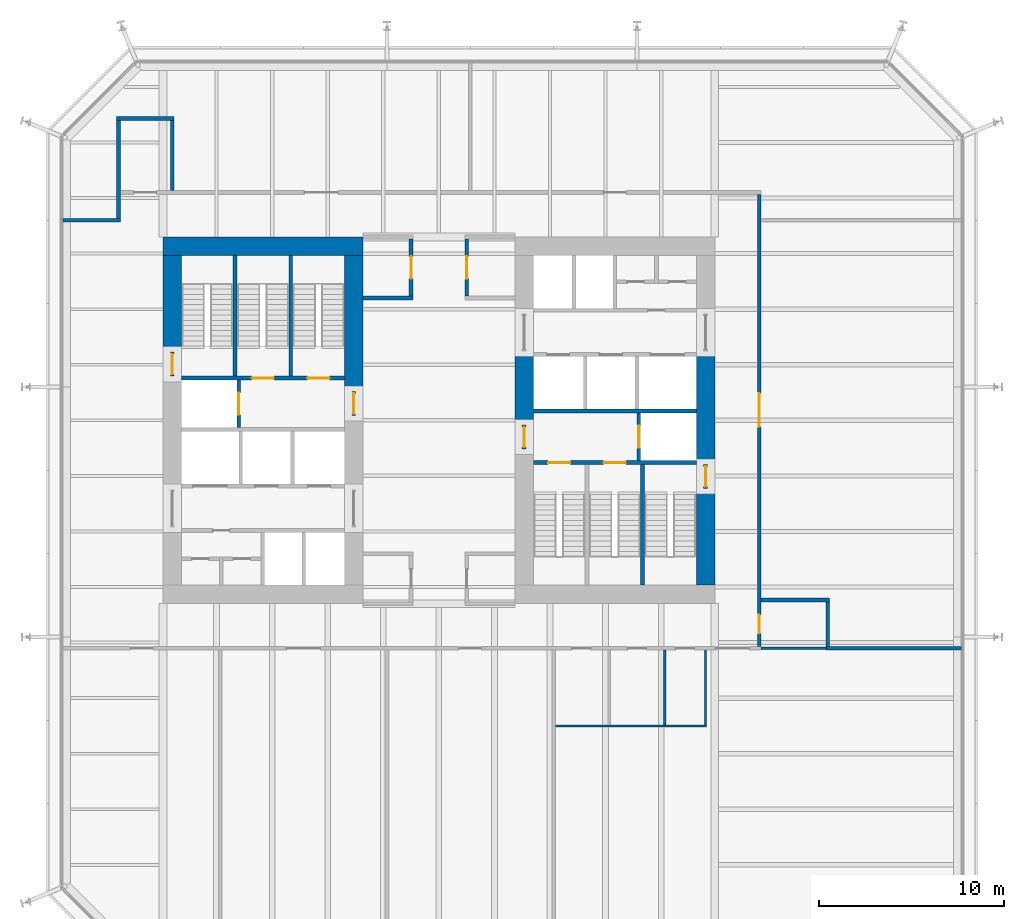
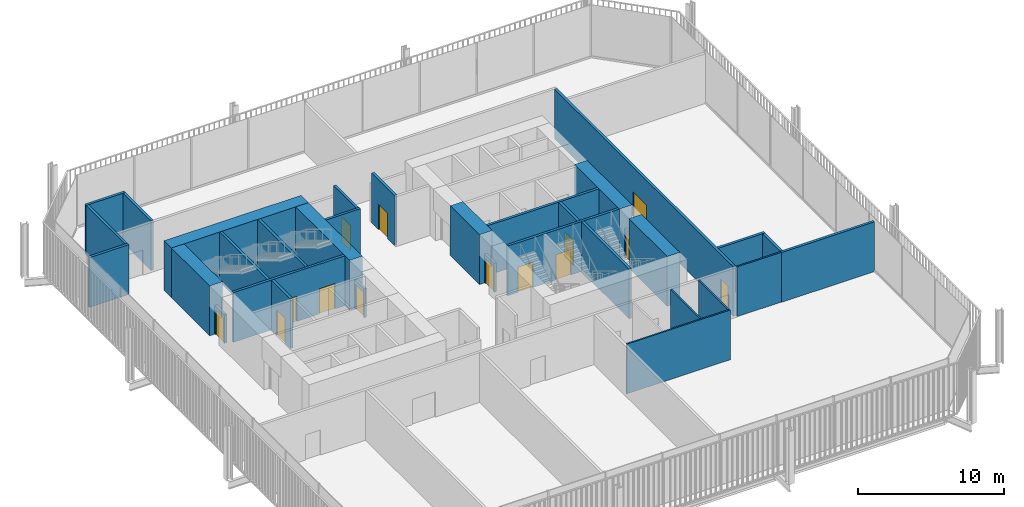
# One storey, part 17 of 20: 33 walls, 14 doors, 14 openings.
"""IFC4 building model written with IfcOpenShell, lengths in metres."""

from ifc_helpers import new_model, si_unit, direction, frame, frame_2d, origin, place, context, subcontext, project, spatial, rectangle, extrude, material, layer, layer_set, type_object, element, fill, save


model = new_model("IFC4")

# Units and contexts
model_context = context("Model", 3, precision=1e-05, world=origin(), true_north=direction((0.0, 1.0)))
body_context = subcontext(model_context, "Body", "Model", "MODEL_VIEW")
ifc_project = project(units=[si_unit("LENGTHUNIT", "METRE"), si_unit("AREAUNIT", "SQUARE_METRE"), si_unit("VOLUMEUNIT", "CUBIC_METRE"), si_unit("PLANEANGLEUNIT", "RADIAN"), si_unit("MASSUNIT", "GRAM", prefix="KILO")], contexts=[model_context])

# Site, building, storey
site_placement = place(None, origin())
site = spatial("IfcSite", under=ifc_project, at=site_placement, CompositionType="ELEMENT")
building_placement = place(site_placement, origin())
building = spatial("IfcBuilding", under=site, at=building_placement, Name="Millrace Tower", CompositionType="ELEMENT")
storey_placement = place(building_placement, frame((0.0, 0.0, 108.39990234375)))
storey = spatial("IfcBuildingStorey", under=building, at=storey_placement, Name="L24", CompositionType="ELEMENT", Elevation=108.39990234375)

# Walls
ifc_material_1 = material(Name="Concrete C80", Category="concrete")
ifc_layer_1 = layer(ifc_material_1, 1.0)
ifc_layer_set_1 = layer_set([ifc_layer_1], Name="Concrete C80")
wall_type_1 = type_object("IfcWallType", Name="Core wall 1000 Concrete C80", PredefinedType="SHEAR", material=ifc_layer_set_1)
wall_1_placement = place(storey_placement, frame((-14.89990234375, 9.39990234375, 0.0), z_axis=(0.0, 0.0, 1.0), x_axis=(1.0, 0.0, 0.0)))
element("IfcWall", 1, at=wall_1_placement, inside=storey, type_object=wall_type_1, Name="Core wall W L24", PredefinedType="SHEAR", context=body_context, shape_type="SweptSolid", body=[
    extrude(rectangle(XDim=10.7998046875, YDim=1.0, at=frame_2d((5.39990234375, 0.0))), origin(), (0.0, 0.0, 1.0), 4.150146484375),
])
wall_2_placement = place(storey_placement, frame((-14.39990234375, 3.679931640625, 0.0), z_axis=(0.0, 0.0, 1.0), x_axis=(0.0, 1.0, 0.0)))
element("IfcWall", 2, at=wall_2_placement, inside=storey, type_object=wall_type_1, Name="Core wall W L24", PredefinedType="SHEAR", context=body_context, shape_type="SweptSolid", body=[
    extrude(rectangle(XDim=5.219970703125, YDim=1.0, at=frame_2d((2.60986328125, 0.0))), origin(), (0.0, 0.0, 1.0), 4.150146484375),
])
wall_3_placement = place(storey_placement, frame((-4.60009765625, 1.550048828125, 0.0), z_axis=(0.0, 0.0, 1.0), x_axis=(0.0, 1.0, 0.0)))
element("IfcWall", 3, at=wall_3_placement, inside=storey, type_object=wall_type_1, Name="Core wall W L24", PredefinedType="SHEAR", context=body_context, shape_type="SweptSolid", body=[
    extrude(rectangle(XDim=7.349853515625, YDim=1.0, at=frame_2d((3.6748046875, 0.0))), origin(), (0.0, 0.0, 1.0), 4.150146484375),
])
wall_4_placement = place(storey_placement, frame((14.39990234375, 3.75, 0.0), z_axis=(0.0, 0.0, 1.0), x_axis=(0.0, -1.0, 0.0)))
element("IfcWall", 4, at=wall_4_placement, inside=storey, type_object=wall_type_1, Name="Core wall E L24", PredefinedType="SHEAR", context=body_context, shape_type="SweptSolid", body=[
    extrude(rectangle(XDim=6.1298828125, YDim=1.0, at=frame_2d((3.06494140625, 0.0))), origin(), (0.0, 0.0, 1.0), 4.150146484375),
])
wall_5_placement = place(storey_placement, frame((14.39990234375, -3.679931640625, 0.0), z_axis=(0.0, 0.0, 1.0), x_axis=(0.0, -1.0, 0.0)))
element("IfcWall", 5, at=wall_5_placement, inside=storey, type_object=wall_type_1, Name="Core wall E L24", PredefinedType="SHEAR", context=body_context, shape_type="SweptSolid", body=[
    extrude(rectangle(XDim=5.219970703125, YDim=1.0, at=frame_2d((2.60986328125, 0.0))), origin(), (0.0, 0.0, 1.0), 4.150146484375),
])
wall_6_placement = place(storey_placement, frame((4.60009765625, 3.75, 0.0), z_axis=(0.0, 0.0, 1.0), x_axis=(0.0, -1.0, 0.0)))
element("IfcWall", 6, at=wall_6_placement, inside=storey, type_object=wall_type_1, Name="Core wall E L24", PredefinedType="SHEAR", context=body_context, shape_type="SweptSolid", body=[
    extrude(rectangle(XDim=4.0, YDim=1.0, at=frame_2d((2.0, 0.0))), origin(), (0.0, 0.0, 1.0), 4.150146484375),
])
ifc_material_2 = material(Name="Masonry partition, fire-rated", Category="masonry")
ifc_layer_2 = layer(ifc_material_2, 0.199951171875)
ifc_layer_set_2 = layer_set([ifc_layer_2], Name="Masonry partition, fire-rated")
wall_type_2 = type_object("IfcWallType", Name="Corridor wall 200", PredefinedType="PARTITIONING", material=ifc_layer_set_2)
wall_7_placement = place(storey_placement, frame((20.89990234375, -12.300048828125, 0.0), z_axis=(0.0, 0.0, 1.0), x_axis=(1.0, 0.0, 0.0)))
element("IfcWall", 7, at=wall_7_placement, inside=storey, type_object=wall_type_2, Name="Corridor wall L24", PredefinedType="PARTITIONING", context=body_context, shape_type="SweptSolid", body=[
    extrude(rectangle(XDim=7.330078125, YDim=0.199951171875, at=frame_2d((3.6650390625, 0.0))), origin(), (0.0, 0.0, 1.0), 4.150146484375),
])
wall_8_placement = place(storey_placement, frame((17.39990234375, -9.699951171875, 0.0), z_axis=(0.0, 0.0, 1.0), x_axis=(1.0, 0.0, 0.0)))
element("IfcWall", 8, at=wall_8_placement, inside=storey, type_object=wall_type_2, Name="Corridor wall L24", PredefinedType="PARTITIONING", context=body_context, shape_type="SweptSolid", body=[
    extrude(rectangle(XDim=3.7001953125, YDim=0.199951171875, at=frame_2d((1.85009765625, 0.0))), origin(), (0.0, 0.0, 1.0), 4.150146484375),
])
wall_9_placement = place(storey_placement, frame((-4.10009765625, 6.60009765625, 0.0), z_axis=(0.0, 0.0, 1.0), x_axis=(1.0, 0.0, 0.0)))
element("IfcWall", 9, at=wall_9_placement, inside=storey, type_object=wall_type_2, Name="Corridor wall L24", PredefinedType="PARTITIONING", context=body_context, shape_type="SweptSolid", body=[
    extrude(rectangle(XDim=2.7001953125, YDim=0.199951171875, at=frame_2d((1.35009765625, 0.0))), origin(), (0.0, 0.0, 1.0), 4.150146484375),
])
wall_10_placement = place(storey_placement, frame((-20.330078125, 10.800048828125, 0.0), z_axis=(0.0, 0.0, 1.0), x_axis=(1.0, 0.0, 0.0)))
element("IfcWall", 10, at=wall_10_placement, inside=storey, type_object=wall_type_2, Name="Corridor wall L24", PredefinedType="PARTITIONING", context=body_context, shape_type="SweptSolid", body=[
    extrude(rectangle(XDim=3.130126953125, YDim=0.199951171875, at=frame_2d((1.56494140625, 0.0))), origin(), (0.0, 0.0, 1.0), 4.150146484375),
])
wall_11_placement = place(storey_placement, frame((-17.39990234375, 16.300048828125, 0.0), z_axis=(0.0, 0.0, 1.0), x_axis=(1.0, 0.0, 0.0)))
element("IfcWall", 11, at=wall_11_placement, inside=storey, type_object=wall_type_2, Name="Corridor wall L24", PredefinedType="PARTITIONING", context=body_context, shape_type="SweptSolid", body=[
    extrude(rectangle(XDim=3.099853515625, YDim=0.199951171875, at=frame_2d((1.5498046875, 0.0))), origin(), (0.0, 0.0, 1.0), 4.150146484375),
])
wall_12_placement = place(storey_placement, frame((21.0, -12.199951171875, 0.0), z_axis=(0.0, 0.0, 1.0), x_axis=(0.0, 1.0, 0.0)))
element("IfcWall", 12, at=wall_12_placement, inside=storey, type_object=wall_type_2, Name="Corridor wall L24", PredefinedType="PARTITIONING", context=body_context, shape_type="SweptSolid", body=[
    extrude(rectangle(XDim=2.39990234375, YDim=0.199951171875, at=frame_2d((1.199951171875, 0.0))), origin(), (0.0, 0.0, 1.0), 4.150146484375),
])

# Wall, openings, doors
wall_13_placement = place(storey_placement, frame((17.300048828125, -12.199951171875, 0.0), z_axis=(0.0, 0.0, 1.0), x_axis=(0.0, 1.0, 0.0)))
wall_13 = element("IfcWall", 13, at=wall_13_placement, inside=storey, type_object=wall_type_2, Name="Corridor wall L24", PredefinedType="PARTITIONING", context=body_context, shape_type="SweptSolid", body=[
    extrude(rectangle(XDim=24.39990234375, YDim=0.199951171875, at=frame_2d((12.199951171875, 0.0))), origin(), (0.0, 0.0, 1.0), 4.150146484375),
])
opening_1_placement = place(wall_13_placement, frame((11.85009765625, 0.0, 0.0)))
opening_1 = element("IfcOpeningElement", 14, at=opening_1_placement, cuts=wall_13, Name="Opening 24-P015", PredefinedType="OPENING", context=body_context, shape_type="SweptSolid", body=[
    extrude(rectangle(XDim=1.800048828125, YDim=2.10009765625, at=frame_2d((0.89990234375, 1.050048828125))), frame((0.0, 0.10986328125, 0.0), z_axis=(0.0, -1.0, 0.0), x_axis=(1.0, 0.0, 0.0)), (0.0, 0.0, 1.0), 0.219970703125),
])
opening_2_placement = place(wall_13_placement, frame((0.699951171875, 0.0, 0.0)))
opening_2 = element("IfcOpeningElement", 15, at=opening_2_placement, cuts=wall_13, Name="Opening 24-P016", PredefinedType="OPENING", context=body_context, shape_type="SweptSolid", body=[
    extrude(rectangle(XDim=1.0, YDim=2.10009765625, at=frame_2d((0.5, 1.050048828125))), frame((0.0, 0.10986328125, 0.0), z_axis=(0.0, -1.0, 0.0), x_axis=(1.0, 0.0, 0.0)), (0.0, 0.0, 1.0), 0.219970703125),
])
ifc_material_3 = material(Name="Steel door set, fire-rated", Category="steel")
door_type_1 = type_object("IfcDoorType", Name="Corridor door 1000 x 2100", OperationType="SINGLE_SWING_LEFT", PredefinedType="DOOR", material=ifc_material_3)
door_1_placement = place(opening_2_placement, frame((1.0, 0.0, 0.0), z_axis=(0.0, 0.0, 1.0), x_axis=(-1.0, 0.0, 0.0)))
door_1 = element("IfcDoor", 16, at=door_1_placement, inside=storey, type_object=door_type_1, Name="Door 24-P016", OperationType="SINGLE_SWING_RIGHT", OverallHeight=2.10009765625, OverallWidth=1.0, PredefinedType="DOOR", context=body_context, shape_type="SweptSolid", body=[
    extrude(rectangle(XDim=1.0, YDim=2.10009765625, at=frame_2d((0.5, 1.050048828125))), frame((0.0, 0.02490234375, 0.0), z_axis=(0.0, -1.0, 0.0), x_axis=(1.0, 0.0, 0.0)), (0.0, 0.0, 1.0), 0.050048828125),
])
fill(opening_2, door_1)
ifc_material_4 = material(Name="Steel door set, fire-rated", Category="steel")
door_type_2 = type_object("IfcDoorType", Name="Data hall door 1800 x 2100", OperationType="DOUBLE_DOOR_SINGLE_SWING", PredefinedType="DOOR", material=ifc_material_4)
door_2_placement = place(opening_1_placement, frame((1.800048828125, 0.0, 0.0), z_axis=(0.0, 0.0, 1.0), x_axis=(-1.0, 0.0, 0.0)))
door_2 = element("IfcDoor", 17, at=door_2_placement, inside=storey, type_object=door_type_2, Name="Door 24-P015", OperationType="DOUBLE_DOOR_SINGLE_SWING", OverallHeight=2.10009765625, OverallWidth=1.800048828125, PredefinedType="DOOR", context=body_context, shape_type="SweptSolid", body=[
    extrude(rectangle(XDim=1.800048828125, YDim=2.10009765625, at=frame_2d((0.89990234375, 1.050048828125))), frame((0.0, 0.02490234375, 0.0), z_axis=(0.0, -1.0, 0.0), x_axis=(1.0, 0.0, 0.0)), (0.0, 0.0, 1.0), 0.050048828125),
])
fill(opening_1, door_2)

# Wall, opening, door
wall_14_placement = place(storey_placement, frame((1.5, 6.699951171875, 0.0), z_axis=(0.0, 0.0, 1.0), x_axis=(0.0, 1.0, 0.0)))
wall_14 = element("IfcWall", 18, at=wall_14_placement, inside=storey, type_object=wall_type_2, Name="Corridor wall L24", PredefinedType="PARTITIONING", context=body_context, shape_type="SweptSolid", body=[
    extrude(rectangle(XDim=3.10009765625, YDim=0.199951171875, at=frame_2d((1.550048828125, 0.0))), origin(), (0.0, 0.0, 1.0), 4.150146484375),
])
opening_3_placement = place(wall_14_placement, frame((0.949951171875, 0.0, 0.0)))
opening_3 = element("IfcOpeningElement", 19, at=opening_3_placement, cuts=wall_14, Name="Opening 24-P002", PredefinedType="OPENING", context=body_context, shape_type="SweptSolid", body=[
    extrude(rectangle(XDim=1.199951171875, YDim=2.10009765625, at=frame_2d((0.60009765625, 1.050048828125))), frame((0.0, 0.10986328125, 0.0), z_axis=(0.0, -1.0, 0.0), x_axis=(1.0, 0.0, 0.0)), (0.0, 0.0, 1.0), 0.219970703125),
])
ifc_material_5 = material(Name="Steel door set, fire-rated", Category="steel")
door_type_3 = type_object("IfcDoorType", Name="Corridor door 1200 x 2100", OperationType="SINGLE_SWING_LEFT", PredefinedType="DOOR", material=ifc_material_5)
door_3_placement = place(opening_3_placement, frame((1.199951171875, 0.0, 0.0), z_axis=(0.0, 0.0, 1.0), x_axis=(-1.0, 0.0, 0.0)))
door_3 = element("IfcDoor", 20, at=door_3_placement, inside=storey, type_object=door_type_3, Name="Door 24-P002", OperationType="SINGLE_SWING_LEFT", OverallHeight=2.10009765625, OverallWidth=1.199951171875, PredefinedType="DOOR", context=body_context, shape_type="SweptSolid", body=[
    extrude(rectangle(XDim=1.199951171875, YDim=2.10009765625, at=frame_2d((0.60009765625, 1.050048828125))), frame((0.0, 0.02490234375, 0.0), z_axis=(0.0, -1.0, 0.0), x_axis=(1.0, 0.0, 0.0)), (0.0, 0.0, 1.0), 0.050048828125),
])
fill(opening_3, door_3)

wall_15_placement = place(storey_placement, frame((-1.5, 6.699951171875, 0.0), z_axis=(0.0, 0.0, 1.0), x_axis=(0.0, 1.0, 0.0)))
wall_15 = element("IfcWall", 21, at=wall_15_placement, inside=storey, type_object=wall_type_2, Name="Corridor wall L24", PredefinedType="PARTITIONING", context=body_context, shape_type="SweptSolid", body=[
    extrude(rectangle(XDim=3.10009765625, YDim=0.199951171875, at=frame_2d((1.550048828125, 0.0))), origin(), (0.0, 0.0, 1.0), 4.150146484375),
])
opening_4_placement = place(wall_15_placement, frame((0.949951171875, 0.0, 0.0)))
opening_4 = element("IfcOpeningElement", 22, at=opening_4_placement, cuts=wall_15, Name="Opening 24-P001", PredefinedType="OPENING", context=body_context, shape_type="SweptSolid", body=[
    extrude(rectangle(XDim=1.199951171875, YDim=2.10009765625, at=frame_2d((0.60009765625, 1.050048828125))), frame((0.0, 0.10986328125, 0.0), z_axis=(0.0, -1.0, 0.0), x_axis=(1.0, 0.0, 0.0)), (0.0, 0.0, 1.0), 0.219970703125),
])
door_4_placement = place(opening_4_placement, origin())
door_4 = element("IfcDoor", 23, at=door_4_placement, inside=storey, type_object=door_type_3, Name="Door 24-P001", OperationType="SINGLE_SWING_RIGHT", OverallHeight=2.10009765625, OverallWidth=1.199951171875, PredefinedType="DOOR", context=body_context, shape_type="SweptSolid", body=[
    extrude(rectangle(XDim=1.199951171875, YDim=2.10009765625, at=frame_2d((0.60009765625, 1.050048828125))), frame((0.0, 0.02490234375, 0.0), z_axis=(0.0, -1.0, 0.0), x_axis=(1.0, 0.0, 0.0)), (0.0, 0.0, 1.0), 0.050048828125),
])
fill(opening_4, door_4)

# Walls
wall_16_placement = place(storey_placement, frame((-14.39990234375, 12.39990234375, 0.0), z_axis=(0.0, 0.0, 1.0), x_axis=(0.0, 1.0, 0.0)))
element("IfcWall", 24, at=wall_16_placement, inside=storey, type_object=wall_type_2, Name="Corridor wall L24", PredefinedType="PARTITIONING", context=body_context, shape_type="SweptSolid", body=[
    extrude(rectangle(XDim=3.800048828125, YDim=0.199951171875, at=frame_2d((1.89990234375, 0.0))), origin(), (0.0, 0.0, 1.0), 4.150146484375),
])
wall_17_placement = place(storey_placement, frame((-17.300048828125, 10.89990234375, 0.0), z_axis=(0.0, 0.0, 1.0), x_axis=(0.0, 1.0, 0.0)))
element("IfcWall", 25, at=wall_17_placement, inside=storey, type_object=wall_type_2, Name="Corridor wall L24", PredefinedType="PARTITIONING", context=body_context, shape_type="SweptSolid", body=[
    extrude(rectangle(XDim=5.300048828125, YDim=0.199951171875, at=frame_2d((2.64990234375, 0.0))), origin(), (0.0, 0.0, 1.0), 4.150146484375),
])

# Wall, opening, door
ifc_material_6 = material(Name="Masonry partition, fire-rated", Category="masonry")
ifc_layer_3 = layer(ifc_material_6, 0.199951171875)
ifc_layer_set_3 = layer_set([ifc_layer_3], Name="Masonry partition, fire-rated")
wall_type_3 = type_object("IfcWallType", Name="Lift shaft wall 200", PredefinedType="PARTITIONING", material=ifc_layer_set_3)
wall_18_placement = place(storey_placement, frame((-10.800048828125, -0.39990234375, 0.0), z_axis=(0.0, 0.0, 1.0), x_axis=(0.0, 1.0, 0.0)))
wall_18 = element("IfcWall", 26, at=wall_18_placement, inside=storey, type_object=wall_type_3, Name="Lift shaft wall W L24", PredefinedType="PARTITIONING", context=body_context, shape_type="SweptSolid", body=[
    extrude(rectangle(XDim=2.579833984375, YDim=0.199951171875, at=frame_2d((1.2900390625, 0.0))), origin(), (0.0, 0.0, 1.0), 4.150146484375),
])
opening_5_placement = place(wall_18_placement, frame((0.68994140625, 0.0, 0.0)))
opening_5 = element("IfcOpeningElement", 27, at=opening_5_placement, cuts=wall_18, Name="Opening 24-LD08", PredefinedType="OPENING", context=body_context, shape_type="SweptSolid", body=[
    extrude(rectangle(XDim=1.199951171875, YDim=2.10009765625, at=frame_2d((0.60009765625, 1.050048828125))), frame((0.0, 0.10986328125, 0.0), z_axis=(0.0, -1.0, 0.0), x_axis=(1.0, 0.0, 0.0)), (0.0, 0.0, 1.0), 0.219970703125),
])
ifc_material_7 = material(Name="Stainless steel, fire-rated", Category="steel")
door_type_4 = type_object("IfcDoorType", Name="Lift landing door 1200 x 2100", OperationType="DOUBLE_DOOR_SLIDING", PredefinedType="DOOR", material=ifc_material_7)
door_5_placement = place(opening_5_placement, origin())
door_5 = element("IfcDoor", 28, at=door_5_placement, inside=storey, type_object=door_type_4, Name="Lift landing door LF8 L24", OperationType="DOUBLE_DOOR_SLIDING", OverallHeight=2.10009765625, OverallWidth=1.199951171875, PredefinedType="DOOR", context=body_context, shape_type="SweptSolid", body=[
    extrude(rectangle(XDim=1.199951171875, YDim=2.10009765625, at=frame_2d((0.60009765625, 1.050048828125))), frame((0.0, 0.02490234375, 0.0), z_axis=(0.0, -1.0, 0.0), x_axis=(1.0, 0.0, 0.0)), (0.0, 0.0, 1.0), 0.050048828125),
])
fill(opening_5, door_5)

# Wall
wall_19_placement = place(storey_placement, frame((13.89990234375, 0.5, 0.0), z_axis=(0.0, 0.0, 1.0), x_axis=(-1.0, 0.0, 0.0)))
element("IfcWall", 29, at=wall_19_placement, inside=storey, type_object=wall_type_3, Name="Lift shaft wall E L24", PredefinedType="PARTITIONING", context=body_context, shape_type="SweptSolid", body=[
    extrude(rectangle(XDim=8.7998046875, YDim=0.199951171875, at=frame_2d((4.39990234375, 0.0))), origin(), (0.0, 0.0, 1.0), 4.150146484375),
])

# Wall, opening, door
wall_20_placement = place(storey_placement, frame((10.800048828125, 0.39990234375, 0.0), z_axis=(0.0, 0.0, 1.0), x_axis=(0.0, -1.0, 0.0)))
wall_20 = element("IfcWall", 30, at=wall_20_placement, inside=storey, type_object=wall_type_3, Name="Lift shaft wall E L24", PredefinedType="PARTITIONING", context=body_context, shape_type="SweptSolid", body=[
    extrude(rectangle(XDim=2.579833984375, YDim=0.199951171875, at=frame_2d((1.2900390625, 0.0))), origin(), (0.0, 0.0, 1.0), 4.150146484375),
])
opening_6_placement = place(wall_20_placement, frame((0.68994140625, 0.0, 0.0)))
opening_6 = element("IfcOpeningElement", 31, at=opening_6_placement, cuts=wall_20, Name="Opening 24-LD16", PredefinedType="OPENING", context=body_context, shape_type="SweptSolid", body=[
    extrude(rectangle(XDim=1.199951171875, YDim=2.10009765625, at=frame_2d((0.60009765625, 1.050048828125))), frame((0.0, 0.10986328125, 0.0), z_axis=(0.0, -1.0, 0.0), x_axis=(1.0, 0.0, 0.0)), (0.0, 0.0, 1.0), 0.219970703125),
])
door_6_placement = place(opening_6_placement, origin())
door_6 = element("IfcDoor", 32, at=door_6_placement, inside=storey, type_object=door_type_4, Name="Lift landing door LF16 L24", OperationType="DOUBLE_DOOR_SLIDING", OverallHeight=2.10009765625, OverallWidth=1.199951171875, PredefinedType="DOOR", context=body_context, shape_type="SweptSolid", body=[
    extrude(rectangle(XDim=1.199951171875, YDim=2.10009765625, at=frame_2d((0.60009765625, 1.050048828125))), frame((0.0, 0.02490234375, 0.0), z_axis=(0.0, -1.0, 0.0), x_axis=(1.0, 0.0, 0.0)), (0.0, 0.0, 1.0), 0.050048828125),
])
fill(opening_6, door_6)

ifc_material_8 = material(Name="Masonry partition, fire-rated", Category="masonry")
ifc_layer_4 = layer(ifc_material_8, 0.199951171875)
ifc_layer_set_4 = layer_set([ifc_layer_4], Name="Masonry partition, fire-rated")
wall_type_4 = type_object("IfcWallType", Name="Lobby wall 200", PredefinedType="PARTITIONING", material=ifc_layer_set_4)
wall_21_placement = place(storey_placement, frame((-4.60009765625, 0.25, 0.0), z_axis=(0.0, 0.0, 1.0), x_axis=(0.0, 1.0, 0.0)))
wall_21 = element("IfcWall", 33, at=wall_21_placement, inside=storey, type_object=wall_type_4, Name="Lobby wall W L24", PredefinedType="PARTITIONING", context=body_context, shape_type="SweptSolid", body=[
    extrude(rectangle(XDim=1.300048828125, YDim=0.199951171875, at=frame_2d((0.64990234375, 0.0))), origin(), (0.0, 0.0, 1.0), 2.400146484375),
])
opening_7_placement = place(wall_21_placement, frame((0.10009765625, 0.0, 0.0)))
opening_7 = element("IfcOpeningElement", 34, at=opening_7_placement, cuts=wall_21, Name="Opening 24-C004", PredefinedType="OPENING", context=body_context, shape_type="SweptSolid", body=[
    extrude(rectangle(XDim=1.10009765625, YDim=2.10009765625, at=frame_2d((0.550048828125, 1.050048828125))), frame((0.0, 0.10986328125, 0.0), z_axis=(0.0, -1.0, 0.0), x_axis=(1.0, 0.0, 0.0)), (0.0, 0.0, 1.0), 0.219970703125),
])
ifc_material_9 = material(Name="Steel door, fire-rated", Category="steel")
door_type_5 = type_object("IfcDoorType", Name="Lobby door 1100 x 2100", OperationType="SINGLE_SWING_LEFT", PredefinedType="DOOR", material=ifc_material_9)
door_7_placement = place(opening_7_placement, origin())
door_7 = element("IfcDoor", 35, at=door_7_placement, inside=storey, type_object=door_type_5, Name="Lobby door 24-C004", OperationType="SINGLE_SWING_LEFT", OverallHeight=2.10009765625, OverallWidth=1.10009765625, PredefinedType="DOOR", context=body_context, shape_type="SweptSolid", body=[
    extrude(rectangle(XDim=1.10009765625, YDim=2.10009765625, at=frame_2d((0.550048828125, 1.050048828125))), frame((0.0, 0.02490234375, 0.0), z_axis=(0.0, -1.0, 0.0), x_axis=(1.0, 0.0, 0.0)), (0.0, 0.0, 1.0), 0.050048828125),
])
fill(opening_7, door_7)

wall_22_placement = place(storey_placement, frame((4.60009765625, -0.25, 0.0), z_axis=(0.0, 0.0, 1.0), x_axis=(0.0, -1.0, 0.0)))
wall_22 = element("IfcWall", 36, at=wall_22_placement, inside=storey, type_object=wall_type_4, Name="Lobby wall E L24", PredefinedType="PARTITIONING", context=body_context, shape_type="SweptSolid", body=[
    extrude(rectangle(XDim=1.300048828125, YDim=0.199951171875, at=frame_2d((0.64990234375, 0.0))), origin(), (0.0, 0.0, 1.0), 2.400146484375),
])
opening_8_placement = place(wall_22_placement, frame((0.10009765625, 0.0, 0.0)))
opening_8 = element("IfcOpeningElement", 37, at=opening_8_placement, cuts=wall_22, Name="Opening 24-C013", PredefinedType="OPENING", context=body_context, shape_type="SweptSolid", body=[
    extrude(rectangle(XDim=1.10009765625, YDim=2.10009765625, at=frame_2d((0.550048828125, 1.050048828125))), frame((0.0, 0.10986328125, 0.0), z_axis=(0.0, -1.0, 0.0), x_axis=(1.0, 0.0, 0.0)), (0.0, 0.0, 1.0), 0.219970703125),
])
door_8_placement = place(opening_8_placement, origin())
door_8 = element("IfcDoor", 38, at=door_8_placement, inside=storey, type_object=door_type_5, Name="Lobby door 24-C013", OperationType="SINGLE_SWING_RIGHT", OverallHeight=2.10009765625, OverallWidth=1.10009765625, PredefinedType="DOOR", context=body_context, shape_type="SweptSolid", body=[
    extrude(rectangle(XDim=1.10009765625, YDim=2.10009765625, at=frame_2d((0.550048828125, 1.050048828125))), frame((0.0, 0.02490234375, 0.0), z_axis=(0.0, -1.0, 0.0), x_axis=(1.0, 0.0, 0.0)), (0.0, 0.0, 1.0), 0.050048828125),
])
fill(opening_8, door_8)

# Walls
ifc_material_10 = material(Name="Gypsum board partition")
ifc_layer_5 = layer(ifc_material_10, 0.1201171875)
ifc_layer_set_5 = layer_set([ifc_layer_5], Name="Gypsum board partition")
wall_type_5 = type_object("IfcWallType", Name="Partition wall 120", PredefinedType="PARTITIONING", material=ifc_layer_set_5)
wall_23_placement = place(storey_placement, frame((6.300048828125, -16.5, 0.0), z_axis=(0.0, 0.0, 1.0), x_axis=(1.0, 0.0, 0.0)))
element("IfcWall", 39, at=wall_23_placement, inside=storey, type_object=wall_type_5, Name="Partition wall L24", PredefinedType="PARTITIONING", context=body_context, shape_type="SweptSolid", body=[
    extrude(rectangle(XDim=8.159912109375, YDim=0.1201171875, at=frame_2d((4.080078125, 0.0))), origin(), (0.0, 0.0, 1.0), 4.150146484375),
])
wall_24_placement = place(storey_placement, frame((17.39990234375, -12.300048828125, 0.0), z_axis=(0.0, 0.0, 1.0), x_axis=(1.0, 0.0, 0.0)))
element("IfcWall", 40, at=wall_24_placement, inside=storey, type_object=wall_type_5, Name="Partition wall L24", PredefinedType="PARTITIONING", context=body_context, shape_type="SweptSolid", body=[
    extrude(rectangle(XDim=3.5, YDim=0.1201171875, at=frame_2d((1.75, 0.0))), origin(), (0.0, 0.0, 1.0), 4.150146484375),
])
for number, where, z_axis, x_axis, name in (
    (41, (14.39990234375, -16.43994140625, 0.0), (0.0, 0.0, 1.0), (0.0, 1.0, 0.0), "Partition wall L24"),
    (42, (12.199951171875, -16.43994140625, 0.0), (0.0, 0.0, 1.0), (0.0, 1.0, 0.0), "Partition wall L24"),
):
    element("IfcWall", number, at=place(storey_placement, frame(where, z_axis=z_axis, x_axis=x_axis)), inside=storey, type_object=wall_type_5, Name=name, PredefinedType="PARTITIONING", context=body_context, shape_type="SweptSolid", body=[
        extrude(rectangle(XDim=4.0400390625, YDim=0.1201171875, at=frame_2d((2.02001953125, 0.0))), origin(), (0.0, 0.0, 1.0), 4.150146484375),
    ])

# Wall, opening, door
ifc_material_11 = material(Name="Concrete C40", Category="concrete")
ifc_layer_6 = layer(ifc_material_11, 0.199951171875)
ifc_layer_set_6 = layer_set([ifc_layer_6], Name="Concrete C40")
wall_type_6 = type_object("IfcWallType", Name="Stair enclosure wall 200 Concrete C40", PredefinedType="SHEAR", material=ifc_layer_set_6)
wall_25_placement = place(storey_placement, frame((-14.39990234375, 2.3798828125, 0.0), z_axis=(0.0, 0.0, 1.0), x_axis=(0.0, 1.0, 0.0)))
wall_25 = element("IfcWall", 43, at=wall_25_placement, inside=storey, type_object=wall_type_6, Name="Stair enclosure wall W L24", PredefinedType="SHEAR", context=body_context, shape_type="SweptSolid", body=[
    extrude(rectangle(XDim=1.300048828125, YDim=0.199951171875, at=frame_2d((0.64990234375, 0.0))), origin(), (0.0, 0.0, 1.0), 2.400146484375),
])
opening_9_placement = place(wall_25_placement, frame((0.10009765625, 0.0, 0.0)))
opening_9 = element("IfcOpeningElement", 44, at=opening_9_placement, cuts=wall_25, Name="Opening 24-C002", PredefinedType="OPENING", context=body_context, shape_type="SweptSolid", body=[
    extrude(rectangle(XDim=1.10009765625, YDim=2.10009765625, at=frame_2d((0.550048828125, 1.050048828125))), frame((0.0, 0.10986328125, 0.0), z_axis=(0.0, -1.0, 0.0), x_axis=(1.0, 0.0, 0.0)), (0.0, 0.0, 1.0), 0.219970703125),
])
ifc_material_12 = material(Name="Steel door, fire-rated", Category="steel")
door_type_6 = type_object("IfcDoorType", Name="Stair door 1100 x 2100", OperationType="SINGLE_SWING_LEFT", PredefinedType="DOOR", material=ifc_material_12)
door_9_placement = place(opening_9_placement, origin())
door_9 = element("IfcDoor", 45, at=door_9_placement, inside=storey, type_object=door_type_6, Name="Stair door 24-C002", OperationType="SINGLE_SWING_LEFT", OverallHeight=2.10009765625, OverallWidth=1.10009765625, PredefinedType="DOOR", context=body_context, shape_type="SweptSolid", body=[
    extrude(rectangle(XDim=1.10009765625, YDim=2.10009765625, at=frame_2d((0.550048828125, 1.050048828125))), frame((0.0, 0.02490234375, 0.0), z_axis=(0.0, -1.0, 0.0), x_axis=(1.0, 0.0, 0.0)), (0.0, 0.0, 1.0), 0.050048828125),
])
fill(opening_9, door_9)

# Wall, openings, doors
wall_26_placement = place(storey_placement, frame((-13.89990234375, 2.280029296875, 0.0), z_axis=(0.0, 0.0, 1.0), x_axis=(1.0, 0.0, 0.0)))
wall_26 = element("IfcWall", 46, at=wall_26_placement, inside=storey, type_object=wall_type_6, Name="Stair enclosure wall W L24", PredefinedType="SHEAR", context=body_context, shape_type="SweptSolid", body=[
    extrude(rectangle(XDim=8.7998046875, YDim=0.199951171875, at=frame_2d((4.39990234375, 0.0))), origin(), (0.0, 0.0, 1.0), 4.150146484375),
])
opening_10_placement = place(wall_26_placement, frame((3.800048828125, 0.0, 0.0)))
opening_10 = element("IfcOpeningElement", 47, at=opening_10_placement, cuts=wall_26, Name="Opening 24-C008", PredefinedType="OPENING", context=body_context, shape_type="SweptSolid", body=[
    extrude(rectangle(XDim=1.199951171875, YDim=2.10009765625, at=frame_2d((0.60009765625, 1.050048828125))), frame((0.0, 0.10986328125, 0.0), z_axis=(0.0, -1.0, 0.0), x_axis=(1.0, 0.0, 0.0)), (0.0, 0.0, 1.0), 0.219970703125),
])
opening_11_placement = place(wall_26_placement, frame((6.800048828125, 0.0, 0.0)))
opening_11 = element("IfcOpeningElement", 48, at=opening_11_placement, cuts=wall_26, Name="Opening 24-C009", PredefinedType="OPENING", context=body_context, shape_type="SweptSolid", body=[
    extrude(rectangle(XDim=1.199951171875, YDim=2.10009765625, at=frame_2d((0.60009765625, 1.050048828125))), frame((0.0, 0.10986328125, 0.0), z_axis=(0.0, -1.0, 0.0), x_axis=(1.0, 0.0, 0.0)), (0.0, 0.0, 1.0), 0.219970703125),
])
ifc_material_13 = material(Name="Steel door, fire-rated", Category="steel")
door_type_7 = type_object("IfcDoorType", Name="Stair door 1200 x 2100", OperationType="SINGLE_SWING_LEFT", PredefinedType="DOOR", material=ifc_material_13)
door_10_placement = place(opening_10_placement, frame((1.199951171875, 0.0, 0.0), z_axis=(0.0, 0.0, 1.0), x_axis=(-1.0, 0.0, 0.0)))
door_10 = element("IfcDoor", 49, at=door_10_placement, inside=storey, type_object=door_type_7, Name="Stair door 24-C008", OperationType="SINGLE_SWING_RIGHT", OverallHeight=2.10009765625, OverallWidth=1.199951171875, PredefinedType="DOOR", context=body_context, shape_type="SweptSolid", body=[
    extrude(rectangle(XDim=1.199951171875, YDim=2.10009765625, at=frame_2d((0.60009765625, 1.050048828125))), frame((0.0, 0.02490234375, 0.0), z_axis=(0.0, -1.0, 0.0), x_axis=(1.0, 0.0, 0.0)), (0.0, 0.0, 1.0), 0.050048828125),
])
fill(opening_10, door_10)
door_11_placement = place(opening_11_placement, frame((1.199951171875, 0.0, 0.0), z_axis=(0.0, 0.0, 1.0), x_axis=(-1.0, 0.0, 0.0)))
door_11 = element("IfcDoor", 50, at=door_11_placement, inside=storey, type_object=door_type_7, Name="Stair door 24-C009", OperationType="SINGLE_SWING_LEFT", OverallHeight=2.10009765625, OverallWidth=1.199951171875, PredefinedType="DOOR", context=body_context, shape_type="SweptSolid", body=[
    extrude(rectangle(XDim=1.199951171875, YDim=2.10009765625, at=frame_2d((0.60009765625, 1.050048828125))), frame((0.0, 0.02490234375, 0.0), z_axis=(0.0, -1.0, 0.0), x_axis=(1.0, 0.0, 0.0)), (0.0, 0.0, 1.0), 0.050048828125),
])
fill(opening_11, door_11)

# Walls
for number, where, z_axis, x_axis, name in (
    (51, (-11.0, 2.3798828125, 0.0), (0.0, 0.0, 1.0), (0.0, 1.0, 0.0), "Stair enclosure wall W L24"),
    (52, (-8.0, 2.3798828125, 0.0), (0.0, 0.0, 1.0), (0.0, 1.0, 0.0), "Stair enclosure wall W L24"),
):
    element("IfcWall", number, at=place(storey_placement, frame(where, z_axis=z_axis, x_axis=x_axis)), inside=storey, type_object=wall_type_6, Name=name, PredefinedType="SHEAR", context=body_context, shape_type="SweptSolid", body=[
        extrude(rectangle(XDim=6.52001953125, YDim=0.199951171875, at=frame_2d((3.260009765625, 0.0))), origin(), (0.0, 0.0, 1.0), 4.150146484375),
    ])

# Wall, opening, door
wall_27_placement = place(storey_placement, frame((14.39990234375, -2.3798828125, 0.0), z_axis=(0.0, 0.0, 1.0), x_axis=(0.0, -1.0, 0.0)))
wall_27 = element("IfcWall", 53, at=wall_27_placement, inside=storey, type_object=wall_type_6, Name="Stair enclosure wall E L24", PredefinedType="SHEAR", context=body_context, shape_type="SweptSolid", body=[
    extrude(rectangle(XDim=1.300048828125, YDim=0.199951171875, at=frame_2d((0.64990234375, 0.0))), origin(), (0.0, 0.0, 1.0), 2.400146484375),
])
opening_12_placement = place(wall_27_placement, frame((0.10009765625, 0.0, 0.0)))
opening_12 = element("IfcOpeningElement", 54, at=opening_12_placement, cuts=wall_27, Name="Opening 24-C011", PredefinedType="OPENING", context=body_context, shape_type="SweptSolid", body=[
    extrude(rectangle(XDim=1.10009765625, YDim=2.10009765625, at=frame_2d((0.550048828125, 1.050048828125))), frame((0.0, 0.10986328125, 0.0), z_axis=(0.0, -1.0, 0.0), x_axis=(1.0, 0.0, 0.0)), (0.0, 0.0, 1.0), 0.219970703125),
])
door_12_placement = place(opening_12_placement, origin())
door_12 = element("IfcDoor", 55, at=door_12_placement, inside=storey, type_object=door_type_6, Name="Stair door 24-C011", OperationType="SINGLE_SWING_LEFT", OverallHeight=2.10009765625, OverallWidth=1.10009765625, PredefinedType="DOOR", context=body_context, shape_type="SweptSolid", body=[
    extrude(rectangle(XDim=1.10009765625, YDim=2.10009765625, at=frame_2d((0.550048828125, 1.050048828125))), frame((0.0, 0.02490234375, 0.0), z_axis=(0.0, -1.0, 0.0), x_axis=(1.0, 0.0, 0.0)), (0.0, 0.0, 1.0), 0.050048828125),
])
fill(opening_12, door_12)

# Wall, openings, doors
wall_28_placement = place(storey_placement, frame((13.89990234375, -2.280029296875, 0.0), z_axis=(0.0, 0.0, 1.0), x_axis=(-1.0, 0.0, 0.0)))
wall_28 = element("IfcWall", 56, at=wall_28_placement, inside=storey, type_object=wall_type_6, Name="Stair enclosure wall E L24", PredefinedType="SHEAR", context=body_context, shape_type="SweptSolid", body=[
    extrude(rectangle(XDim=8.7998046875, YDim=0.199951171875, at=frame_2d((4.39990234375, 0.0))), origin(), (0.0, 0.0, 1.0), 4.150146484375),
])
opening_13_placement = place(wall_28_placement, frame((3.800048828125, 0.0, 0.0)))
opening_13 = element("IfcOpeningElement", 57, at=opening_13_placement, cuts=wall_28, Name="Opening 24-C017", PredefinedType="OPENING", context=body_context, shape_type="SweptSolid", body=[
    extrude(rectangle(XDim=1.199951171875, YDim=2.10009765625, at=frame_2d((0.60009765625, 1.050048828125))), frame((0.0, 0.10986328125, 0.0), z_axis=(0.0, -1.0, 0.0), x_axis=(1.0, 0.0, 0.0)), (0.0, 0.0, 1.0), 0.219970703125),
])
opening_14_placement = place(wall_28_placement, frame((6.800048828125, 0.0, 0.0)))
opening_14 = element("IfcOpeningElement", 58, at=opening_14_placement, cuts=wall_28, Name="Opening 24-C018", PredefinedType="OPENING", context=body_context, shape_type="SweptSolid", body=[
    extrude(rectangle(XDim=1.199951171875, YDim=2.10009765625, at=frame_2d((0.60009765625, 1.050048828125))), frame((0.0, 0.10986328125, 0.0), z_axis=(0.0, -1.0, 0.0), x_axis=(1.0, 0.0, 0.0)), (0.0, 0.0, 1.0), 0.219970703125),
])
door_13_placement = place(opening_13_placement, frame((1.199951171875, 0.0, 0.0), z_axis=(0.0, 0.0, 1.0), x_axis=(-1.0, 0.0, 0.0)))
door_13 = element("IfcDoor", 59, at=door_13_placement, inside=storey, type_object=door_type_7, Name="Stair door 24-C017", OperationType="SINGLE_SWING_RIGHT", OverallHeight=2.10009765625, OverallWidth=1.199951171875, PredefinedType="DOOR", context=body_context, shape_type="SweptSolid", body=[
    extrude(rectangle(XDim=1.199951171875, YDim=2.10009765625, at=frame_2d((0.60009765625, 1.050048828125))), frame((0.0, 0.02490234375, 0.0), z_axis=(0.0, -1.0, 0.0), x_axis=(1.0, 0.0, 0.0)), (0.0, 0.0, 1.0), 0.050048828125),
])
fill(opening_13, door_13)
door_14_placement = place(opening_14_placement, frame((1.199951171875, 0.0, 0.0), z_axis=(0.0, 0.0, 1.0), x_axis=(-1.0, 0.0, 0.0)))
door_14 = element("IfcDoor", 60, at=door_14_placement, inside=storey, type_object=door_type_7, Name="Stair door 24-C018", OperationType="SINGLE_SWING_LEFT", OverallHeight=2.10009765625, OverallWidth=1.199951171875, PredefinedType="DOOR", context=body_context, shape_type="SweptSolid", body=[
    extrude(rectangle(XDim=1.199951171875, YDim=2.10009765625, at=frame_2d((0.60009765625, 1.050048828125))), frame((0.0, 0.02490234375, 0.0), z_axis=(0.0, -1.0, 0.0), x_axis=(1.0, 0.0, 0.0)), (0.0, 0.0, 1.0), 0.050048828125),
])
fill(opening_14, door_14)

# Wall
wall_29_placement = place(storey_placement, frame((11.0, -2.3798828125, 0.0), z_axis=(0.0, 0.0, 1.0), x_axis=(0.0, -1.0, 0.0)))
element("IfcWall", 61, at=wall_29_placement, inside=storey, type_object=wall_type_6, Name="Stair enclosure wall E L24", PredefinedType="SHEAR", context=body_context, shape_type="SweptSolid", body=[
    extrude(rectangle(XDim=6.52001953125, YDim=0.199951171875, at=frame_2d((3.260009765625, 0.0))), origin(), (0.0, 0.0, 1.0), 4.150146484375),
])

save(model, "model.ifc")
